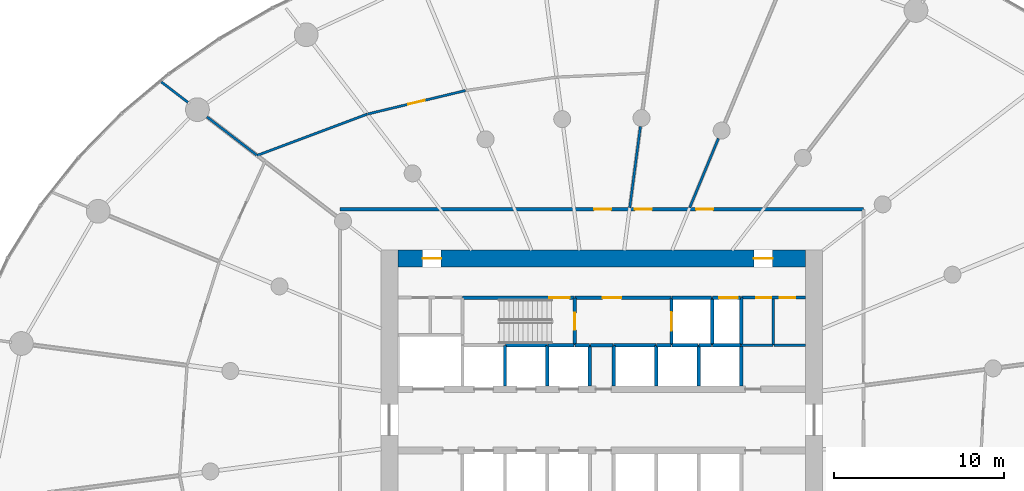
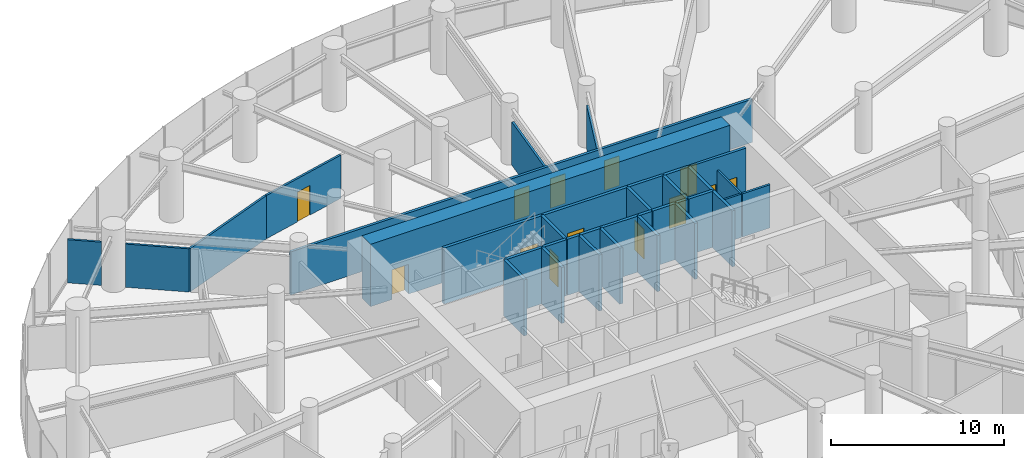
# One storey, part 15 of 19: 36 walls, 13 doors, 13 openings.
"""IFC4 building model written with IfcOpenShell, lengths in metres."""

from ifc_helpers import new_model, si_unit, direction, frame, frame_2d, origin, place, context, subcontext, project, spatial, rectangle, extrude, source, transform, mapped, material, layer, layer_set, type_object, element, fill, save


model = new_model("IFC4")

# Units and contexts
model_context = context("Model", 3, precision=1e-05, world=origin(), true_north=direction((0.0, 1.0)))
body_context = subcontext(model_context, "Body", "Model", "MODEL_VIEW")
ifc_project = project(units=[si_unit("LENGTHUNIT", "METRE"), si_unit("AREAUNIT", "SQUARE_METRE"), si_unit("VOLUMEUNIT", "CUBIC_METRE"), si_unit("PLANEANGLEUNIT", "RADIAN"), si_unit("MASSUNIT", "GRAM", prefix="KILO")], contexts=[model_context])

# Site, building, storey
site_placement = place(None, origin())
site = spatial("IfcSite", under=ifc_project, at=site_placement, CompositionType="ELEMENT")
building_placement = place(site_placement, origin())
building = spatial("IfcBuilding", under=site, at=building_placement, Name="Spindrift Exchange Tower", CompositionType="ELEMENT")
storey_placement = place(building_placement, frame((0.0, 0.0, 53.39990234375)))
storey = spatial("IfcBuildingStorey", under=building, at=storey_placement, Name="L12", CompositionType="ELEMENT", Elevation=53.39990234375)

# Wall, openings, doors
ifc_material_1 = material(Name="Concrete 80 MPa", Category="concrete")
ifc_layer_1 = layer(ifc_material_1, 1.0)
ifc_layer_set_1 = layer_set([ifc_layer_1], Name="RC Core Wall 1000 Concrete 80 MPa")
wall_type_1 = type_object("IfcWallType", Name="RC Core Wall 1000 Concrete 80 MPa", PredefinedType="SHEAR", material=ifc_layer_set_1)
wall_1_placement = place(storey_placement, frame((64.0, 57.5, 0.0), z_axis=(0.0, 0.0, 1.0), x_axis=(-1.0, 0.0, 0.0)))
wall_1 = element("IfcWall", 1, at=wall_1_placement, inside=storey, type_object=wall_type_1, Name="Core wall N L12", PredefinedType="SHEAR", context=body_context, shape_type="SweptSolid", body=[
    extrude(rectangle(XDim=24.0, YDim=1.0, at=frame_2d((12.0, 0.0))), origin(), (0.0, 0.0, 1.0), 4.400146484375),
])
opening_1_placement = place(wall_1_placement, frame((21.449951171875, 0.0, 0.0)))
opening_1 = element("IfcOpeningElement", 2, at=opening_1_placement, cuts=wall_1, Name="Opening L12-D20", PredefinedType="OPENING", context=body_context, shape_type="SweptSolid", body=[
    extrude(rectangle(XDim=1.10009765625, YDim=2.10009765625, at=frame_2d((0.550048828125, 1.050048828125))), frame((0.0, 0.510009765625, 0.0), z_axis=(0.0, -1.0, 0.0), x_axis=(1.0, 0.0, 0.0)), (0.0, 0.0, 1.0), 1.02001953125),
])
opening_2_placement = place(wall_1_placement, frame((1.949951171875, 0.0, 0.0)))
opening_2 = element("IfcOpeningElement", 3, at=opening_2_placement, cuts=wall_1, Name="Opening L12-D21", PredefinedType="OPENING", context=body_context, shape_type="SweptSolid", body=[
    extrude(rectangle(XDim=1.10009765625, YDim=2.10009765625, at=frame_2d((0.550048828125, 1.050048828125))), frame((0.0, 0.510009765625, 0.0), z_axis=(0.0, -1.0, 0.0), x_axis=(1.0, 0.0, 0.0)), (0.0, 0.0, 1.0), 1.02001953125),
])
ifc_material_2 = material(Name="Steel fire door", Category="steel")
door_type_1 = type_object("IfcDoorType", Name="DR-STAIR-1100", OperationType="NOTDEFINED", PredefinedType="DOOR", material=ifc_material_2)
shared_shape_1 = source(origin(), body_context, "Body", "SweptSolid", [
    extrude(rectangle(XDim=1.10009765625, YDim=2.10009765625, at=frame_2d((0.550048828125, 1.050048828125))), frame((0.0, 0.02490234375, 0.0), z_axis=(0.0, -1.0, 0.0), x_axis=(1.0, 0.0, 0.0)), (0.0, 0.0, 1.0), 0.050048828125),
])
door_1_placement = place(opening_1_placement, origin())
door_1 = element("IfcDoor", 4, at=door_1_placement, inside=storey, type_object=door_type_1, Name="L12 Stair door 20", OperationType="SINGLE_SWING_LEFT", OverallHeight=2.10009765625, OverallWidth=1.10009765625, PredefinedType="DOOR", context=body_context, shape_type="MappedRepresentation", body=[
    mapped(shared_shape_1, transform((0.0, 0.0, 0.0), scale=1.0)),
])
fill(opening_1, door_1)
door_2_placement = place(opening_2_placement, origin())
door_2 = element("IfcDoor", 5, at=door_2_placement, inside=storey, type_object=door_type_1, Name="L12 Stair door 21", OperationType="SINGLE_SWING_RIGHT", OverallHeight=2.10009765625, OverallWidth=1.10009765625, PredefinedType="DOOR", context=body_context, shape_type="MappedRepresentation", body=[
    mapped(shared_shape_1, transform((0.0, 0.0, 0.0), scale=1.0)),
])
fill(opening_2, door_2)

ifc_material_3 = material(Name="Fire-rated plasterboard partition", Category="gypsum")
ifc_layer_2 = layer(ifc_material_3, 0.179931640625)
ifc_layer_set_2 = layer_set([ifc_layer_2], Name="W-CORR-180")
wall_type_2 = type_object("IfcWallType", Name="W-CORR-180", PredefinedType="PARTITIONING", material=ifc_layer_set_2)
wall_2_placement = place(storey_placement, frame((63.97998046875, 55.199951171875, 0.0), z_axis=(0.0, 0.0, 1.0), x_axis=(-1.0, 0.0, 0.0)))
wall_2 = element("IfcWall", 6, at=wall_2_placement, inside=storey, type_object=wall_type_2, Name="L12 Partition wall 64", PredefinedType="PARTITIONING", context=body_context, shape_type="SweptSolid", body=[
    extrude(rectangle(XDim=3.75, YDim=0.179931640625, at=frame_2d((1.875, 0.0))), origin(), (0.0, 0.0, 1.0), 3.9501953125),
])
opening_3_placement = place(wall_2_placement, frame((2.0, 0.0, 0.0)))
opening_3 = element("IfcOpeningElement", 7, at=opening_3_placement, cuts=wall_2, Name="Opening L12-D51", PredefinedType="OPENING", context=body_context, shape_type="SweptSolid", body=[
    extrude(rectangle(XDim=0.89990234375, YDim=2.10009765625, at=frame_2d((0.449951171875, 1.050048828125))), frame((0.0, 0.099853515625, 0.0), z_axis=(0.0, -1.0, 0.0), x_axis=(1.0, 0.0, 0.0)), (0.0, 0.0, 1.0), 0.199951171875),
])
opening_4_placement = place(wall_2_placement, frame((0.60009765625, 0.0, 0.0)))
opening_4 = element("IfcOpeningElement", 8, at=opening_4_placement, cuts=wall_2, Name="Opening L12-D52", PredefinedType="OPENING", context=body_context, shape_type="SweptSolid", body=[
    extrude(rectangle(XDim=0.89990234375, YDim=2.10009765625, at=frame_2d((0.449951171875, 1.050048828125))), frame((0.0, 0.099853515625, 0.0), z_axis=(0.0, -1.0, 0.0), x_axis=(1.0, 0.0, 0.0)), (0.0, 0.0, 1.0), 0.199951171875),
])
ifc_material_4 = material(Name="Steel access door", Category="steel")
door_type_2 = type_object("IfcDoorType", Name="DR-RISER-900", OperationType="NOTDEFINED", PredefinedType="DOOR", material=ifc_material_4)
shared_shape_2 = source(origin(), body_context, "Body", "SweptSolid", [
    extrude(rectangle(XDim=0.89990234375, YDim=2.10009765625, at=frame_2d((0.449951171875, 1.050048828125))), frame((0.0, 0.02490234375, 0.0), z_axis=(0.0, -1.0, 0.0), x_axis=(1.0, 0.0, 0.0)), (0.0, 0.0, 1.0), 0.050048828125),
])
door_3_placement = place(opening_3_placement, origin())
door_3 = element("IfcDoor", 9, at=door_3_placement, inside=storey, type_object=door_type_2, Name="L12 Riser door 51", OperationType="SINGLE_SWING_RIGHT", OverallHeight=2.10009765625, OverallWidth=0.89990234375, PredefinedType="DOOR", context=body_context, shape_type="MappedRepresentation", body=[
    mapped(shared_shape_2, transform((0.0, 0.0, 0.0), scale=1.0)),
])
fill(opening_3, door_3)
door_4_placement = place(opening_4_placement, origin())
door_4 = element("IfcDoor", 10, at=door_4_placement, inside=storey, type_object=door_type_2, Name="L12 Riser door 52", OperationType="SINGLE_SWING_LEFT", OverallHeight=2.10009765625, OverallWidth=0.89990234375, PredefinedType="DOOR", context=body_context, shape_type="MappedRepresentation", body=[
    mapped(shared_shape_2, transform((0.0, 0.0, 0.0), scale=1.0)),
])
fill(opening_4, door_4)

# Wall
ifc_layer_3 = layer(ifc_material_3, 0.139892578125)
ifc_layer_set_3 = layer_set([ifc_layer_3], Name="W-PART-140")
wall_type_3 = type_object("IfcWallType", Name="W-PART-140", PredefinedType="PARTITIONING", material=ifc_layer_set_3)
wall_3_placement = place(storey_placement, frame((38.18994140625, 65.99755859375, 0.0), z_axis=(0.0, 0.0, 1.0), x_axis=(-0.936297270661, -0.35120851492, 0.0)))
element("IfcWall", 11, at=wall_3_placement, inside=storey, type_object=wall_type_3, Name="L12 Partition wall 76", PredefinedType="PARTITIONING", context=body_context, shape_type="SweptSolid", body=[
    extrude(rectangle(XDim=6.918701171875, YDim=0.139892578125, at=frame_2d((3.45947265625, 0.0))), origin(), (0.0, 0.0, 1.0), 3.050048828125),
])

# Wall, opening, door
wall_4_placement = place(storey_placement, frame((38.218994140625, 66.004638671875, 0.0), z_axis=(0.0, 0.0, 1.0), x_axis=(0.972386552633, 0.233376074734, 0.0)))
wall_4 = element("IfcWall", 12, at=wall_4_placement, inside=storey, type_object=wall_type_3, Name="L12 Partition wall 86", PredefinedType="PARTITIONING", context=body_context, shape_type="SweptSolid", body=[
    extrude(rectangle(XDim=5.914794921875, YDim=0.139892578125, at=frame_2d((2.95751953125, 0.0))), origin(), (0.0, 0.0, 1.0), 3.050048828125),
])
opening_5_placement = place(wall_4_placement, frame((2.464599609375, 0.0, 0.0)))
opening_5 = element("IfcOpeningElement", 13, at=opening_5_placement, cuts=wall_4, Name="Opening L12-D39", PredefinedType="OPENING", context=body_context, shape_type="SweptSolid", body=[
    extrude(rectangle(XDim=1.0, YDim=2.10009765625, at=frame_2d((0.5, 1.050048828125))), frame((0.0, 0.079833984375, 0.0), z_axis=(0.0, -1.0, 0.0), x_axis=(1.0, 0.0, 0.0)), (0.0, 0.0, 1.0), 0.159912109375),
])
ifc_material_5 = material(Name="Timber-core fire door", Category="wood")
door_type_3 = type_object("IfcDoorType", Name="DR-ROOM-1000", OperationType="NOTDEFINED", PredefinedType="DOOR", material=ifc_material_5)
shared_shape_3 = source(origin(), body_context, "Body", "SweptSolid", [
    extrude(rectangle(XDim=1.0, YDim=2.10009765625, at=frame_2d((0.5, 1.050048828125))), frame((0.0, 0.02490234375, 0.0), z_axis=(0.0, -1.0, 0.0), x_axis=(1.0, 0.0, 0.0)), (0.0, 0.0, 1.0), 0.050048828125),
])
door_5_placement = place(opening_5_placement, origin())
door_5 = element("IfcDoor", 14, at=door_5_placement, inside=storey, type_object=door_type_3, Name="L12 Door 39", OperationType="SINGLE_SWING_RIGHT", OverallHeight=2.10009765625, OverallWidth=1.0, PredefinedType="DOOR", context=body_context, shape_type="MappedRepresentation", body=[
    mapped(shared_shape_3, transform((0.0, 0.0, 0.0), scale=1.0)),
])
fill(opening_5, door_5)

# Walls
wall_5_placement = place(storey_placement, frame((31.68798828125, 63.5859375, 0.0), z_axis=(0.0, 0.0, 1.0), x_axis=(-0.793375408023, 0.608732668701, 0.0)))
element("IfcWall", 15, at=wall_5_placement, inside=storey, type_object=wall_type_3, Name="L12 Partition wall 105", PredefinedType="PARTITIONING", context=body_context, shape_type="SweptSolid", body=[
    extrude(rectangle(XDim=3.693115234375, YDim=0.139892578125, at=frame_2d((1.8466796875, 0.0))), origin(), (0.0, 0.0, 1.0), 3.050048828125),
])
wall_6_placement = place(storey_placement, frame((62.10009765625, 52.39990234375, 0.0), z_axis=(0.0, 0.0, 1.0), x_axis=(0.0, 1.0, 0.0)))
element("IfcWall", 16, at=wall_6_placement, inside=storey, type_object=wall_type_3, Name="L12 Partition wall 109", PredefinedType="PARTITIONING", context=body_context, shape_type="SweptSolid", body=[
    extrude(rectangle(XDim=2.710205078125, YDim=0.139892578125, at=frame_2d((1.35498046875, 0.0))), origin(), (0.0, 0.0, 1.0), 3.050048828125),
])
wall_7_placement = place(storey_placement, frame((27.640625, 66.69140625, 0.0), z_axis=(0.0, 0.0, 1.0), x_axis=(-0.793312100237, 0.608815170325, 0.0)))
element("IfcWall", 17, at=wall_7_placement, inside=storey, type_object=wall_type_3, Name="L12 Partition wall 121", PredefinedType="PARTITIONING", context=body_context, shape_type="SweptSolid", body=[
    extrude(rectangle(XDim=1.97705078125, YDim=0.139892578125, at=frame_2d((0.988525390625, 0.0))), origin(), (0.0, 0.0, 1.0), 3.050048828125),
])
wall_8_placement = place(storey_placement, frame((62.070068359375, 52.39990234375, 0.0), z_axis=(0.0, 0.0, 1.0), x_axis=(-1.0, 0.0, 0.0)))
element("IfcWall", 18, at=wall_8_placement, inside=storey, type_object=wall_type_3, Name="L12 Partition wall 123", PredefinedType="PARTITIONING", context=body_context, shape_type="SweptSolid", body=[
    extrude(rectangle(XDim=1.840087890625, YDim=0.139892578125, at=frame_2d((0.919921875, 0.0))), origin(), (0.0, 0.0, 1.0), 3.050048828125),
])
wall_9_placement = place(storey_placement, frame((63.97998046875, 52.39990234375, 0.0), z_axis=(0.0, 0.0, 1.0), x_axis=(-1.0, 0.0, 0.0)))
element("IfcWall", 19, at=wall_9_placement, inside=storey, type_object=wall_type_3, Name="L12 Partition wall 124", PredefinedType="PARTITIONING", context=body_context, shape_type="SweptSolid", body=[
    extrude(rectangle(XDim=1.85009765625, YDim=0.139892578125, at=frame_2d((0.925048828125, 0.0))), origin(), (0.0, 0.0, 1.0), 3.050048828125),
])
ifc_layer_4 = layer(ifc_material_3, 0.139892578125)
ifc_layer_set_4 = layer_set([ifc_layer_4], Name="W-PLANT-140")
wall_type_4 = type_object("IfcWallType", Name="W-PLANT-140", PredefinedType="PARTITIONING", material=ifc_layer_set_4)
wall_10_placement = place(storey_placement, frame((53.644287109375, 60.489990234375, 0.0), z_axis=(0.0, 0.0, 1.0), x_axis=(0.130523979823, 0.991445152639, 0.0)))
element("IfcWall", 20, at=wall_10_placement, inside=storey, type_object=wall_type_4, Name="L12 Partition wall 98", PredefinedType="PARTITIONING", context=body_context, shape_type="SweptSolid", body=[
    extrude(rectangle(XDim=4.818359375, YDim=0.139892578125, at=frame_2d((2.4091796875, 0.0))), origin(), (0.0, 0.0, 1.0), 3.050048828125),
])
wall_11_placement = place(storey_placement, frame((57.173583984375, 60.489990234375, 0.0), z_axis=(0.0, 0.0, 1.0), x_axis=(0.382672831764, 0.923883923353, 0.0)))
element("IfcWall", 21, at=wall_11_placement, inside=storey, type_object=wall_type_4, Name="L12 Partition wall 100", PredefinedType="PARTITIONING", context=body_context, shape_type="SweptSolid", body=[
    extrude(rectangle(XDim=4.410400390625, YDim=0.139892578125, at=frame_2d((2.205078125, 0.0))), origin(), (0.0, 0.0, 1.0), 3.050048828125),
])

# Wall, openings, doors
ifc_layer_5 = layer(ifc_material_3, 0.179931640625)
ifc_layer_set_5 = layer_set([ifc_layer_5], Name="W-PLANT-180")
wall_type_5 = type_object("IfcWallType", Name="W-PLANT-180", PredefinedType="PARTITIONING", material=ifc_layer_set_5)
wall_12_placement = place(storey_placement, frame((36.60009765625, 60.39990234375, 0.0), z_axis=(0.0, 0.0, 1.0), x_axis=(1.0, 0.0, 0.0)))
wall_12 = element("IfcWall", 22, at=wall_12_placement, inside=storey, type_object=wall_type_5, Name="L12 Partition wall 58", PredefinedType="PARTITIONING", context=body_context, shape_type="SweptSolid", body=[
    extrude(rectangle(XDim=30.7998046875, YDim=0.179931640625, at=frame_2d((15.39990234375, 0.0))), origin(), (0.0, 0.0, 1.0), 3.050048828125),
])
opening_6_placement = place(wall_12_placement, frame((20.949951171875, 0.0, 0.0)))
opening_6 = element("IfcOpeningElement", 23, at=opening_6_placement, cuts=wall_12, Name="Opening L12-D36", PredefinedType="OPENING", context=body_context, shape_type="SweptSolid", body=[
    extrude(rectangle(XDim=1.0, YDim=2.10009765625, at=frame_2d((0.5, 1.050048828125))), frame((0.0, 0.099853515625, 0.0), z_axis=(0.0, -1.0, 0.0), x_axis=(1.0, 0.0, 0.0)), (0.0, 0.0, 1.0), 0.199951171875),
])
opening_7_placement = place(wall_12_placement, frame((17.35009765625, 0.0, 0.0)))
opening_7 = element("IfcOpeningElement", 24, at=opening_7_placement, cuts=wall_12, Name="Opening L12-D37", PredefinedType="OPENING", context=body_context, shape_type="SweptSolid", body=[
    extrude(rectangle(XDim=1.0, YDim=2.10009765625, at=frame_2d((0.5, 1.050048828125))), frame((0.0, 0.099853515625, 0.0), z_axis=(0.0, -1.0, 0.0), x_axis=(1.0, 0.0, 0.0)), (0.0, 0.0, 1.0), 0.199951171875),
])
opening_8_placement = place(wall_12_placement, frame((14.949951171875, 0.0, 0.0)))
opening_8 = element("IfcOpeningElement", 25, at=opening_8_placement, cuts=wall_12, Name="Opening L12-D38", PredefinedType="OPENING", context=body_context, shape_type="SweptSolid", body=[
    extrude(rectangle(XDim=1.0, YDim=2.10009765625, at=frame_2d((0.5, 1.050048828125))), frame((0.0, 0.099853515625, 0.0), z_axis=(0.0, -1.0, 0.0), x_axis=(1.0, 0.0, 0.0)), (0.0, 0.0, 1.0), 0.199951171875),
])
door_6_placement = place(opening_6_placement, origin())
door_6 = element("IfcDoor", 26, at=door_6_placement, inside=storey, type_object=door_type_3, Name="L12 Door 36", OperationType="SINGLE_SWING_LEFT", OverallHeight=2.10009765625, OverallWidth=1.0, PredefinedType="DOOR", context=body_context, shape_type="MappedRepresentation", body=[
    mapped(shared_shape_3, transform((0.0, 0.0, 0.0), scale=1.0)),
])
fill(opening_6, door_6)
door_7_placement = place(opening_7_placement, origin())
door_7 = element("IfcDoor", 27, at=door_7_placement, inside=storey, type_object=door_type_3, Name="L12 Door 37", OperationType="SINGLE_SWING_RIGHT", OverallHeight=2.10009765625, OverallWidth=1.0, PredefinedType="DOOR", context=body_context, shape_type="MappedRepresentation", body=[
    mapped(shared_shape_3, transform((0.0, 0.0, 0.0), scale=1.0)),
])
fill(opening_7, door_7)
door_8_placement = place(opening_8_placement, origin())
door_8 = element("IfcDoor", 28, at=door_8_placement, inside=storey, type_object=door_type_3, Name="L12 Door 38", OperationType="SINGLE_SWING_LEFT", OverallHeight=2.10009765625, OverallWidth=1.0, PredefinedType="DOOR", context=body_context, shape_type="MappedRepresentation", body=[
    mapped(shared_shape_3, transform((0.0, 0.0, 0.0), scale=1.0)),
])
fill(opening_8, door_8)

# Wall, opening, door
ifc_material_6 = material(Name="Concrete 40 MPa", Category="concrete")
ifc_layer_6 = layer(ifc_material_6, 0.199951171875)
ifc_layer_set_6 = layer_set([ifc_layer_6], Name="W-SHAFT-200")
wall_type_6 = type_object("IfcWallType", Name="W-SHAFT-200", PredefinedType="SOLIDWALL", material=ifc_layer_set_6)
wall_13_placement = place(storey_placement, frame((56.10009765625, 55.169921875, 0.0), z_axis=(0.0, 0.0, 1.0), x_axis=(0.0, -1.0, 0.0)))
wall_13 = element("IfcWall", 29, at=wall_13_placement, inside=storey, type_object=wall_type_6, Name="L12 Shaft wall 12", PredefinedType="SOLIDWALL", context=body_context, shape_type="SweptSolid", body=[
    extrude(rectangle(XDim=2.77001953125, YDim=0.199951171875, at=frame_2d((1.385009765625, 0.0))), origin(), (0.0, 0.0, 1.0), 3.9501953125),
])
opening_9_placement = place(wall_13_placement, frame((0.820068359375, 0.0, 0.0)))
opening_9 = element("IfcOpeningElement", 30, at=opening_9_placement, cuts=wall_13, Name="Opening L12-D9", PredefinedType="OPENING", context=body_context, shape_type="SweptSolid", body=[
    extrude(rectangle(XDim=1.10009765625, YDim=2.10009765625, at=frame_2d((0.550048828125, 1.050048828125))), frame((0.0, 0.10986328125, 0.0), z_axis=(0.0, -1.0, 0.0), x_axis=(1.0, 0.0, 0.0)), (0.0, 0.0, 1.0), 0.219970703125),
])
ifc_material_7 = material(Name="Stainless steel landing door", Category="steel")
door_type_4 = type_object("IfcDoorType", Name="DR-LANDING-1100-SL", OperationType="DOUBLE_DOOR_SLIDING", PredefinedType="USERDEFINED", material=ifc_material_7)
shared_shape_4 = source(origin(), body_context, "Body", "SweptSolid", [
    extrude(rectangle(XDim=1.10009765625, YDim=2.10009765625, at=frame_2d((0.550048828125, 1.050048828125))), frame((0.0, 0.02490234375, 0.0), z_axis=(0.0, -1.0, 0.0), x_axis=(1.0, 0.0, 0.0)), (0.0, 0.0, 1.0), 0.050048828125),
])
door_9_placement = place(opening_9_placement, origin())
door_9 = element("IfcDoor", 31, at=door_9_placement, inside=storey, type_object=door_type_4, Name="L12 Lift landing door 9", ObjectType="LANDING DOOR", OperationType="DOUBLE_DOOR_SLIDING", OverallHeight=2.10009765625, OverallWidth=1.10009765625, PredefinedType="USERDEFINED", context=body_context, shape_type="MappedRepresentation", body=[
    mapped(shared_shape_4, transform((0.0, 0.0, 0.0), scale=1.0)),
])
fill(opening_9, door_9)

# Walls
for number, where, z_axis, x_axis, name in (
    (32, (58.5, 52.39990234375, 0.0), (0.0, 0.0, 1.0), (0.0, 1.0, 0.0), "L12 Shaft wall 13"),
    (33, (60.199951171875, 52.39990234375, 0.0), (0.0, 0.0, 1.0), (0.0, 1.0, 0.0), "L12 Shaft wall 14"),
):
    element("IfcWall", number, at=place(storey_placement, frame(where, z_axis=z_axis, x_axis=x_axis)), inside=storey, type_object=wall_type_6, Name=name, PredefinedType="SOLIDWALL", context=body_context, shape_type="SweptSolid", body=[
        extrude(rectangle(XDim=2.800048828125, YDim=0.199951171875, at=frame_2d((1.39990234375, 0.0))), origin(), (0.0, 0.0, 1.0), 3.9501953125),
    ])
wall_14_placement = place(storey_placement, frame((55.199951171875, 52.39990234375, 0.0), z_axis=(0.0, 0.0, 1.0), x_axis=(-1.0, 0.0, 0.0)))
element("IfcWall", 34, at=wall_14_placement, inside=storey, type_object=wall_type_6, Name="L12 Shaft wall 18", PredefinedType="SOLIDWALL", context=body_context, shape_type="SweptSolid", body=[
    extrude(rectangle(XDim=2.5, YDim=0.199951171875, at=frame_2d((1.25, 0.0))), origin(), (0.0, 0.0, 1.0), 3.9501953125),
])
wall_15_placement = place(storey_placement, frame((58.469970703125, 55.199951171875, 0.0), z_axis=(0.0, 0.0, 1.0), x_axis=(-1.0, 0.0, 0.0)))
element("IfcWall", 35, at=wall_15_placement, inside=storey, type_object=wall_type_6, Name="L12 Shaft wall 22", PredefinedType="SOLIDWALL", context=body_context, shape_type="SweptSolid", body=[
    extrude(rectangle(XDim=2.340087890625, YDim=0.199951171875, at=frame_2d((1.169921875, 0.0))), origin(), (0.0, 0.0, 1.0), 3.9501953125),
])
wall_16_placement = place(storey_placement, frame((51.300048828125, 50.010009765625, 0.0), z_axis=(0.0, 0.0, 1.0), x_axis=(0.0, 1.0, 0.0)))
element("IfcWall", 36, at=wall_16_placement, inside=storey, type_object=wall_type_6, Name="L12 Shaft wall 30", PredefinedType="SOLIDWALL", context=body_context, shape_type="SweptSolid", body=[
    extrude(rectangle(XDim=2.389892578125, YDim=0.199951171875, at=frame_2d((1.19482421875, 0.0))), origin(), (0.0, 0.0, 1.0), 3.9501953125),
])
for number, where, z_axis, x_axis, name in (
    (37, (52.699951171875, 52.3701171875, 0.0), (0.0, 0.0, 1.0), (0.0, -1.0, 0.0), "L12 Shaft wall 32"),
    (38, (55.199951171875, 50.010009765625, 0.0), (0.0, 0.0, 1.0), (0.0, 1.0, 0.0), "L12 Shaft wall 34"),
):
    element("IfcWall", number, at=place(storey_placement, frame(where, z_axis=z_axis, x_axis=x_axis)), inside=storey, type_object=wall_type_6, Name=name, PredefinedType="SOLIDWALL", context=body_context, shape_type="SweptSolid", body=[
        extrude(rectangle(XDim=2.360107421875, YDim=0.199951171875, at=frame_2d((1.18017578125, 0.0))), origin(), (0.0, 0.0, 1.0), 3.9501953125),
    ])
wall_17_placement = place(storey_placement, frame((57.699951171875, 50.010009765625, 0.0), z_axis=(0.0, 0.0, 1.0), x_axis=(0.0, 1.0, 0.0)))
element("IfcWall", 39, at=wall_17_placement, inside=storey, type_object=wall_type_6, Name="L12 Shaft wall 36", PredefinedType="SOLIDWALL", context=body_context, shape_type="SweptSolid", body=[
    extrude(rectangle(XDim=2.389892578125, YDim=0.199951171875, at=frame_2d((1.19482421875, 0.0))), origin(), (0.0, 0.0, 1.0), 3.9501953125),
])
wall_18_placement = place(storey_placement, frame((60.199951171875, 50.010009765625, 0.0), z_axis=(0.0, 0.0, 1.0), x_axis=(0.0, 1.0, 0.0)))
element("IfcWall", 40, at=wall_18_placement, inside=storey, type_object=wall_type_6, Name="L12 Shaft wall 38", PredefinedType="SOLIDWALL", context=body_context, shape_type="SweptSolid", body=[
    extrude(rectangle(XDim=2.360107421875, YDim=0.199951171875, at=frame_2d((1.18017578125, 0.0))), origin(), (0.0, 0.0, 1.0), 3.9501953125),
])
wall_19_placement = place(storey_placement, frame((60.169921875, 52.39990234375, 0.0), z_axis=(0.0, 0.0, 1.0), x_axis=(-1.0, 0.0, 0.0)))
element("IfcWall", 41, at=wall_19_placement, inside=storey, type_object=wall_type_6, Name="L12 Shaft wall 42", PredefinedType="SOLIDWALL", context=body_context, shape_type="SweptSolid", body=[
    extrude(rectangle(XDim=1.639892578125, YDim=0.199951171875, at=frame_2d((0.81982421875, 0.0))), origin(), (0.0, 0.0, 1.0), 3.9501953125),
])

# Wall, opening, door
wall_20_placement = place(storey_placement, frame((60.169921875, 55.199951171875, 0.0), z_axis=(0.0, 0.0, 1.0), x_axis=(-1.0, 0.0, 0.0)))
wall_20 = element("IfcWall", 42, at=wall_20_placement, inside=storey, type_object=wall_type_6, Name="L12 Shaft wall 43", PredefinedType="SOLIDWALL", context=body_context, shape_type="SweptSolid", body=[
    extrude(rectangle(XDim=1.639892578125, YDim=0.199951171875, at=frame_2d((0.81982421875, 0.0))), origin(), (0.0, 0.0, 1.0), 3.9501953125),
])
opening_10_placement = place(wall_20_placement, frame((0.169921875, 0.0, 0.0)))
opening_10 = element("IfcOpeningElement", 43, at=opening_10_placement, cuts=wall_20, Name="Opening L12-D11", PredefinedType="OPENING", context=body_context, shape_type="SweptSolid", body=[
    extrude(rectangle(XDim=1.10009765625, YDim=2.10009765625, at=frame_2d((0.550048828125, 1.050048828125))), frame((0.0, 0.10986328125, 0.0), z_axis=(0.0, -1.0, 0.0), x_axis=(1.0, 0.0, 0.0)), (0.0, 0.0, 1.0), 0.219970703125),
])
door_10_placement = place(opening_10_placement, origin())
door_10 = element("IfcDoor", 44, at=door_10_placement, inside=storey, type_object=door_type_4, Name="L12 Lift landing door 11", ObjectType="LANDING DOOR", OperationType="DOUBLE_DOOR_SLIDING", OverallHeight=2.10009765625, OverallWidth=1.10009765625, PredefinedType="USERDEFINED", context=body_context, shape_type="MappedRepresentation", body=[
    mapped(shared_shape_4, transform((0.0, 0.0, 0.0), scale=1.0)),
])
fill(opening_10, door_10)

# Walls
wall_21_placement = place(storey_placement, frame((57.669921875, 52.39990234375, 0.0), z_axis=(0.0, 0.0, 1.0), x_axis=(-1.0, 0.0, 0.0)))
element("IfcWall", 45, at=wall_21_placement, inside=storey, type_object=wall_type_6, Name="L12 Shaft wall 47", PredefinedType="SOLIDWALL", context=body_context, shape_type="SweptSolid", body=[
    extrude(rectangle(XDim=1.5400390625, YDim=0.199951171875, at=frame_2d((0.77001953125, 0.0))), origin(), (0.0, 0.0, 1.0), 3.9501953125),
])
wall_22_placement = place(storey_placement, frame((51.330078125, 52.39990234375, 0.0), z_axis=(0.0, 0.0, 1.0), x_axis=(1.0, 0.0, 0.0)))
element("IfcWall", 46, at=wall_22_placement, inside=storey, type_object=wall_type_6, Name="L12 Shaft wall 49", PredefinedType="SOLIDWALL", context=body_context, shape_type="SweptSolid", body=[
    extrude(rectangle(XDim=1.33984375, YDim=0.199951171875, at=frame_2d((0.669921875, 0.0))), origin(), (0.0, 0.0, 1.0), 3.9501953125),
])
wall_23_placement = place(storey_placement, frame((56.070068359375, 52.39990234375, 0.0), z_axis=(0.0, 0.0, 1.0), x_axis=(-1.0, 0.0, 0.0)))
element("IfcWall", 47, at=wall_23_placement, inside=storey, type_object=wall_type_6, Name="L12 Shaft wall 53", PredefinedType="SOLIDWALL", context=body_context, shape_type="SweptSolid", body=[
    extrude(rectangle(XDim=0.840087890625, YDim=0.199951171875, at=frame_2d((0.419921875, 0.0))), origin(), (0.0, 0.0, 1.0), 3.9501953125),
])
wall_24_placement = place(storey_placement, frame((58.469970703125, 52.39990234375, 0.0), z_axis=(0.0, 0.0, 1.0), x_axis=(-1.0, 0.0, 0.0)))
element("IfcWall", 48, at=wall_24_placement, inside=storey, type_object=wall_type_6, Name="L12 Shaft wall 55", PredefinedType="SOLIDWALL", context=body_context, shape_type="SweptSolid", body=[
    extrude(rectangle(XDim=0.739990234375, YDim=0.199951171875, at=frame_2d((0.3701171875, 0.0))), origin(), (0.0, 0.0, 1.0), 3.9501953125),
])

# Wall, opening, door
ifc_layer_7 = layer(ifc_material_6, 0.199951171875)
ifc_layer_set_7 = layer_set([ifc_layer_7], Name="W-SHAFT-200-LB")
wall_type_7 = type_object("IfcWallType", Name="W-SHAFT-200-LB", PredefinedType="SOLIDWALL", material=ifc_layer_set_7)
wall_25_placement = place(storey_placement, frame((50.39990234375, 55.199951171875, 0.0), z_axis=(0.0, 0.0, 1.0), x_axis=(-1.0, 0.0, 0.0)))
wall_25 = element("IfcWall", 49, at=wall_25_placement, inside=storey, type_object=wall_type_7, Name="L12 Shaft wall 1", PredefinedType="SOLIDWALL", context=body_context, shape_type="SweptSolid", body=[
    extrude(rectangle(XDim=6.599853515625, YDim=0.199951171875, at=frame_2d((3.2998046875, 0.0))), origin(), (0.0, 0.0, 1.0), 3.9501953125),
])
opening_11_placement = place(wall_25_placement, frame((0.300048828125, 0.0, 0.0)))
opening_11 = element("IfcOpeningElement", 50, at=opening_11_placement, cuts=wall_25, Name="Opening L12-D13", PredefinedType="OPENING", context=body_context, shape_type="SweptSolid", body=[
    extrude(rectangle(XDim=1.199951171875, YDim=2.10009765625, at=frame_2d((0.60009765625, 1.050048828125))), frame((0.0, 0.10986328125, 0.0), z_axis=(0.0, -1.0, 0.0), x_axis=(1.0, 0.0, 0.0)), (0.0, 0.0, 1.0), 0.219970703125),
])
door_type_5 = type_object("IfcDoorType", Name="DR-STAIR-1200", OperationType="NOTDEFINED", PredefinedType="DOOR", material=ifc_material_2)
shared_shape_5 = source(origin(), body_context, "Body", "SweptSolid", [
    extrude(rectangle(XDim=1.199951171875, YDim=2.10009765625, at=frame_2d((0.60009765625, 1.050048828125))), frame((0.0, 0.02490234375, 0.0), z_axis=(0.0, -1.0, 0.0), x_axis=(1.0, 0.0, 0.0)), (0.0, 0.0, 1.0), 0.050048828125),
])
door_11_placement = place(opening_11_placement, origin())
door_11 = element("IfcDoor", 51, at=door_11_placement, inside=storey, type_object=door_type_5, Name="L12 Stair door 13", OperationType="SINGLE_SWING_RIGHT", OverallHeight=2.10009765625, OverallWidth=1.199951171875, PredefinedType="DOOR", context=body_context, shape_type="MappedRepresentation", body=[
    mapped(shared_shape_5, transform((0.0, 0.0, 0.0), scale=1.0)),
])
fill(opening_11, door_11)

wall_26_placement = place(storey_placement, frame((56.10009765625, 55.199951171875, 0.0), z_axis=(0.0, 0.0, 1.0), x_axis=(-1.0, 0.0, 0.0)))
wall_26 = element("IfcWall", 52, at=wall_26_placement, inside=storey, type_object=wall_type_7, Name="L12 Shaft wall 4", PredefinedType="SOLIDWALL", context=body_context, shape_type="SweptSolid", body=[
    extrude(rectangle(XDim=5.670166015625, YDim=0.199951171875, at=frame_2d((2.8349609375, 0.0))), origin(), (0.0, 0.0, 1.0), 3.9501953125),
])
opening_12_placement = place(wall_26_placement, frame((2.949951171875, 0.0, 0.0)))
opening_12 = element("IfcOpeningElement", 53, at=opening_12_placement, cuts=wall_26, Name="Opening L12-D15", PredefinedType="OPENING", context=body_context, shape_type="SweptSolid", body=[
    extrude(rectangle(XDim=1.10009765625, YDim=2.10009765625, at=frame_2d((0.550048828125, 1.050048828125))), frame((0.0, 0.10986328125, 0.0), z_axis=(0.0, -1.0, 0.0), x_axis=(1.0, 0.0, 0.0)), (0.0, 0.0, 1.0), 0.219970703125),
])
door_type_6 = type_object("IfcDoorType", Name="DR-LOBBY-1100", OperationType="NOTDEFINED", PredefinedType="DOOR", material=ifc_material_5)
shared_shape_6 = source(origin(), body_context, "Body", "SweptSolid", [
    extrude(rectangle(XDim=1.10009765625, YDim=2.10009765625, at=frame_2d((0.550048828125, 1.050048828125))), frame((0.0, 0.02490234375, 0.0), z_axis=(0.0, -1.0, 0.0), x_axis=(1.0, 0.0, 0.0)), (0.0, 0.0, 1.0), 0.050048828125),
])
door_12_placement = place(opening_12_placement, origin())
door_12 = element("IfcDoor", 54, at=door_12_placement, inside=storey, type_object=door_type_6, Name="L12 Lobby door 15", OperationType="SINGLE_SWING_RIGHT", OverallHeight=2.10009765625, OverallWidth=1.10009765625, PredefinedType="DOOR", context=body_context, shape_type="MappedRepresentation", body=[
    mapped(shared_shape_6, transform((0.0, 0.0, 0.0), scale=1.0)),
])
fill(opening_12, door_12)

wall_27_placement = place(storey_placement, frame((50.39990234375, 52.39990234375, 0.0), z_axis=(0.0, 0.0, 1.0), x_axis=(0.0, 1.0, 0.0)))
wall_27 = element("IfcWall", 55, at=wall_27_placement, inside=storey, type_object=wall_type_7, Name="L12 Shaft wall 9", PredefinedType="SOLIDWALL", context=body_context, shape_type="SweptSolid", body=[
    extrude(rectangle(XDim=2.77001953125, YDim=0.199951171875, at=frame_2d((1.385009765625, 0.0))), origin(), (0.0, 0.0, 1.0), 3.9501953125),
])
opening_13_placement = place(wall_27_placement, frame((0.89990234375, 0.0, 0.0)))
opening_13 = element("IfcOpeningElement", 56, at=opening_13_placement, cuts=wall_27, Name="Opening L12-D14", PredefinedType="OPENING", context=body_context, shape_type="SweptSolid", body=[
    extrude(rectangle(XDim=1.0, YDim=2.10009765625, at=frame_2d((0.5, 1.050048828125))), frame((0.0, 0.10986328125, 0.0), z_axis=(0.0, -1.0, 0.0), x_axis=(1.0, 0.0, 0.0)), (0.0, 0.0, 1.0), 0.219970703125),
])
door_type_7 = type_object("IfcDoorType", Name="DR-STAIR-1000", OperationType="NOTDEFINED", PredefinedType="DOOR", material=ifc_material_2)
shared_shape_7 = source(origin(), body_context, "Body", "SweptSolid", [
    extrude(rectangle(XDim=1.0, YDim=2.10009765625, at=frame_2d((0.5, 1.050048828125))), frame((0.0, 0.02490234375, 0.0), z_axis=(0.0, -1.0, 0.0), x_axis=(1.0, 0.0, 0.0)), (0.0, 0.0, 1.0), 0.050048828125),
])
door_13_placement = place(opening_13_placement, origin())
door_13 = element("IfcDoor", 57, at=door_13_placement, inside=storey, type_object=door_type_7, Name="L12 Stair door 14", OperationType="SINGLE_SWING_LEFT", OverallHeight=2.10009765625, OverallWidth=1.0, PredefinedType="DOOR", context=body_context, shape_type="MappedRepresentation", body=[
    mapped(shared_shape_7, transform((0.0, 0.0, 0.0), scale=1.0)),
])
fill(opening_13, door_13)

# Walls
wall_28_placement = place(storey_placement, frame((48.800048828125, 52.39990234375, 0.0), z_axis=(0.0, 0.0, 1.0), x_axis=(-1.0, 0.0, 0.0)))
element("IfcWall", 58, at=wall_28_placement, inside=storey, type_object=wall_type_7, Name="L12 Shaft wall 16", PredefinedType="SOLIDWALL", context=body_context, shape_type="SweptSolid", body=[
    extrude(rectangle(XDim=2.469970703125, YDim=0.199951171875, at=frame_2d((1.23486328125, 0.0))), origin(), (0.0, 0.0, 1.0), 3.9501953125),
])
for number, where, z_axis, x_axis, name in (
    (59, (46.300048828125, 50.010009765625, 0.0), (0.0, 0.0, 1.0), (0.0, 1.0, 0.0), "L12 Shaft wall 26"),
    (60, (48.800048828125, 50.010009765625, 0.0), (0.0, 0.0, 1.0), (0.0, 1.0, 0.0), "L12 Shaft wall 28"),
):
    element("IfcWall", number, at=place(storey_placement, frame(where, z_axis=z_axis, x_axis=x_axis)), inside=storey, type_object=wall_type_7, Name=name, PredefinedType="SOLIDWALL", context=body_context, shape_type="SweptSolid", body=[
        extrude(rectangle(XDim=2.360107421875, YDim=0.199951171875, at=frame_2d((1.18017578125, 0.0))), origin(), (0.0, 0.0, 1.0), 3.9501953125),
    ])
wall_29_placement = place(storey_placement, frame((50.3701171875, 52.39990234375, 0.0), z_axis=(0.0, 0.0, 1.0), x_axis=(-1.0, 0.0, 0.0)))
element("IfcWall", 61, at=wall_29_placement, inside=storey, type_object=wall_type_7, Name="L12 Shaft wall 45", PredefinedType="SOLIDWALL", context=body_context, shape_type="SweptSolid", body=[
    extrude(rectangle(XDim=1.5400390625, YDim=0.199951171875, at=frame_2d((0.77001953125, 0.0))), origin(), (0.0, 0.0, 1.0), 3.9501953125),
])
wall_30_placement = place(storey_placement, frame((51.27001953125, 52.39990234375, 0.0), z_axis=(0.0, 0.0, 1.0), x_axis=(-1.0, 0.0, 0.0)))
element("IfcWall", 62, at=wall_30_placement, inside=storey, type_object=wall_type_7, Name="L12 Shaft wall 51", PredefinedType="SOLIDWALL", context=body_context, shape_type="SweptSolid", body=[
    extrude(rectangle(XDim=0.840087890625, YDim=0.199951171875, at=frame_2d((0.419921875, 0.0))), origin(), (0.0, 0.0, 1.0), 3.9501953125),
])

save(model, "model.ifc")
